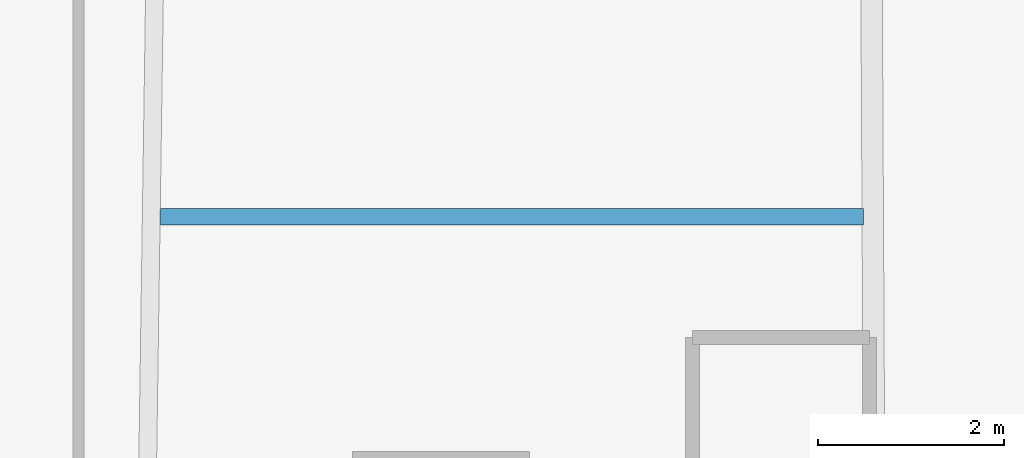
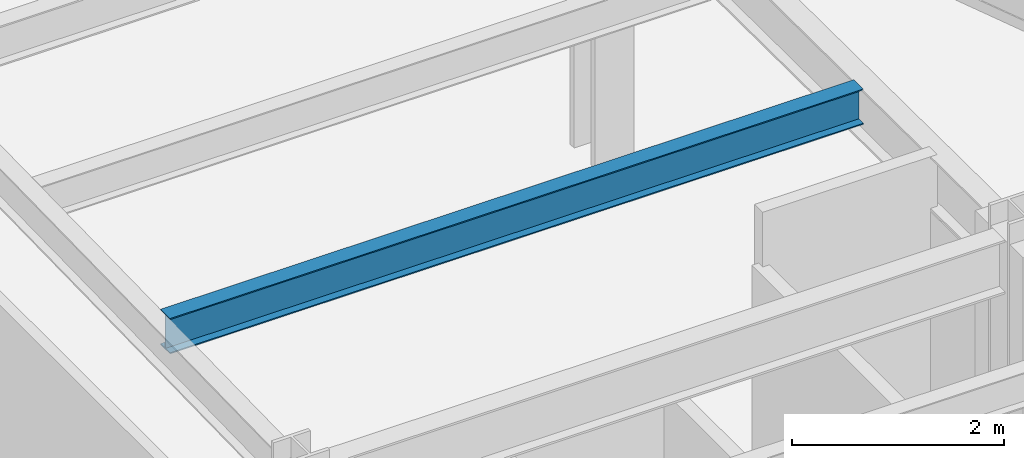
# One storey, part 13 of 30: 1 beam.
"""IFC4 building model written with IfcOpenShell, lengths in metres."""

import ifcopenshell
import ifcopenshell.guid

model = None  # the IFC model being written
_history = None  # IfcOwnerHistory: only IFC2X3 demands one
_inside = {}  # id of a spatial element -> (the spatial element, [elements in it])
_under = {}  # id of a project, library or spatial element -> (it, [spatial elements below it])
_declared = {}  # id of a project -> (the project, [libraries it declares])
_typed = {}  # id of a type object -> (the type object, [elements of that type])
_made_of = {}  # id of a material, layer set ... -> (it, [elements and type objects made of it])


def new_model(schema):
    """Start an empty IFC model of exactly this schema.

    Asked for "IFC4X3", IfcOpenShell would pick the latest addendum, in which some entities
    have other attributes; the version numbers below select the first issue.
    IFC2X3 requires an IfcOwnerHistory on every rooted entity: one is made here for all.
    """
    global model, _history
    if schema == "IFC4X3":
        model = ifcopenshell.file(schema_version=(4, 3, 0, 0))
    else:
        model = ifcopenshell.file(schema=schema)
    _inside.clear()
    _under.clear()
    _declared.clear()
    _typed.clear()
    _made_of.clear()
    _history = None
    if model.schema == "IFC2X3":
        org = make("IfcOrganization", Name="unknown")
        user = make(
            "IfcPersonAndOrganization",
            ThePerson=make("IfcPerson", FamilyName="unknown"),
            TheOrganization=org,
        )
        app = make(
            "IfcApplication",
            ApplicationDeveloper=org,
            Version="unknown",
            ApplicationFullName="unknown",
            ApplicationIdentifier="unknown",
        )
        _history = make(
            "IfcOwnerHistory",
            OwningUser=user,
            OwningApplication=app,
            ChangeAction="ADDED",
            CreationDate=0,
        )
    return model


def make(cls, **values):
    """One entity of the class cls with the attributes given. An attribute that is None is left unset."""
    return model.create_entity(
        cls, **{name: value for name, value in values.items() if value is not None}
    )


def rooted(cls, **values):
    """An entity with a GlobalId (a new one), such as an element, a storey or a relation."""
    return make(cls, GlobalId=ifcopenshell.guid.new(), OwnerHistory=_history, **values)


def si_unit(unit_type, name, prefix=None):
    """IfcSIUnit, for example si_unit("LENGTHUNIT", "METRE", prefix="MILLI")."""
    return make("IfcSIUnit", UnitType=unit_type, Prefix=prefix, Name=name)


def assignment(units):
    """IfcUnitAssignment: the units of a project."""
    return None if units is None else make("IfcUnitAssignment", Units=units)


def point(xyz):
    """IfcCartesianPoint."""
    return None if xyz is None else make("IfcCartesianPoint", Coordinates=xyz)


def direction(xyz):
    """IfcDirection."""
    return None if xyz is None else make("IfcDirection", DirectionRatios=xyz)


def frame(location, z_axis=None, x_axis=None):
    """IfcAxis2Placement3D, a coordinate frame: its origin and axes. An axis left out is left unset."""
    return make(
        "IfcAxis2Placement3D",
        Location=point(location),
        Axis=direction(z_axis),
        RefDirection=direction(x_axis),
    )


def frame_2d(location, x_axis=None):
    """IfcAxis2Placement2D, a coordinate frame in the plane: its origin and x axis."""
    return make(
        "IfcAxis2Placement2D", Location=point(location), RefDirection=direction(x_axis)
    )


def origin():
    """The frame at (0, 0, 0) with its axes left unset."""
    return frame((0.0, 0.0, 0.0))


def origin_2d():
    """The frame at (0, 0) in the plane with its x axis left unset."""
    return frame_2d((0.0, 0.0))


def place(relative_to, where):
    """IfcLocalPlacement: puts the frame where relative to a parent placement (None: the world)."""
    return make(
        "IfcLocalPlacement", PlacementRelTo=relative_to, RelativePlacement=where
    )


def context(
    kind, dimensions, precision=None, world=None, true_north=None, identifier=None
):
    """IfcGeometricRepresentationContext, for example the 3D "Model" context."""
    return make(
        "IfcGeometricRepresentationContext",
        ContextIdentifier=identifier,
        ContextType=kind,
        CoordinateSpaceDimension=dimensions,
        Precision=precision,
        WorldCoordinateSystem=world,
        TrueNorth=true_north,
    )


def subcontext(parent, identifier, kind, view, scale=None):
    """IfcGeometricRepresentationSubContext, for example "Body" below "Model"."""
    return make(
        "IfcGeometricRepresentationSubContext",
        ContextIdentifier=identifier,
        ContextType=kind,
        ParentContext=parent,
        TargetScale=scale,
        TargetView=view,
    )


def project(units=None, contexts=None):
    """IfcProject with its units and contexts."""
    return rooted(
        "IfcProject",
        Name="project",
        RepresentationContexts=contexts,
        UnitsInContext=assignment(units),
    )


def spatial(cls, under=None, at=None, **own):
    """A site, building, storey or space (cls), placed at a placement, below another one or the project."""
    s = rooted(cls, ObjectPlacement=at, **own)
    if under is not None:
        _under.setdefault(under.id(), (under, []))[1].append(s)
    return s


def profile(cls, at=None, kind="AREA", **sizes):
    """A parametric profile (cls). Its sizes go by their IFC names, for example OverallWidth=200.0."""
    return make(cls, ProfileType=kind, Position=at, **sizes)


def i_section(**sizes):
    """IfcIShapeProfileDef."""
    return profile("IfcIShapeProfileDef", **sizes)


def extrude(swept, where, along, depth):
    """IfcExtrudedAreaSolid: the profile swept, set in the frame where, extruded along a direction by depth."""
    return make(
        "IfcExtrudedAreaSolid",
        SweptArea=swept,
        Position=where,
        ExtrudedDirection=direction(along),
        Depth=depth,
    )


def shape(context_of_items, identifier, shape_type, items):
    """IfcShapeRepresentation: the items that make up one representation, for example the "Body"."""
    return make(
        "IfcShapeRepresentation",
        ContextOfItems=context_of_items,
        RepresentationIdentifier=identifier,
        RepresentationType=shape_type,
        Items=items,
    )


def material(Name=None, Category=None):
    """IfcMaterial."""
    return make("IfcMaterial", Name=Name, Category=Category)


def material_profile(
    of_material, cross_section, Name=None, Category=None, Priority=None
):
    """IfcMaterialProfile: a cross section and its material."""
    return make(
        "IfcMaterialProfile",
        Name=Name,
        Material=of_material,
        Profile=cross_section,
        Priority=Priority,
        Category=Category,
    )


def profile_set(profiles, Name=None, composite=None):
    """IfcMaterialProfileSet."""
    return make(
        "IfcMaterialProfileSet",
        Name=Name,
        MaterialProfiles=profiles,
        CompositeProfile=composite,
    )


def made_of(thing, what):
    """Note that an element or type object is made of a material, layer set ...; save() writes the relation."""
    if what is not None:
        _made_of.setdefault(what.id(), (what, []))[1].append(thing)
    return thing


def type_object(cls, material=None, **own):
    """A type object (cls), such as IfcWallType, which elements share."""
    return made_of(rooted(cls, **own), material)


def element(
    cls,
    number,
    at=None,
    inside=None,
    cuts=None,
    type_object=None,
    material=None,
    context=None,
    identifier="Body",
    shape_type=None,
    held_by="IfcProductDefinitionShape",
    body=None,
    shapes=None,
    **own,
):
    """One element of the class cls, such as IfcWall. Its Tag is "e" and its number.

    at: its placement. inside: the storey or other place that contains it. cuts: it is an
    opening in that element (IfcRelVoidsElement). A single representation is given by context,
    identifier, shape_type and body (its items); several are given by shapes. held_by: the class
    of the entity that holds the representations. save() writes the other relations.
    """
    e = rooted(cls, Tag="e%d" % number, ObjectPlacement=at, **own)
    if body is not None:
        shapes = [shape(context, identifier, shape_type, body)]
    if shapes is not None:
        e.Representation = make(held_by, Representations=shapes)
    if inside is not None:
        _inside.setdefault(inside.id(), (inside, []))[1].append(e)
    if cuts is not None:
        rooted(
            "IfcRelVoidsElement", RelatingBuildingElement=cuts, RelatedOpeningElement=e
        )
    if type_object is not None:
        _typed.setdefault(type_object.id(), (type_object, []))[1].append(e)
    return made_of(e, material)


def aggregate(whole, parts):
    """IfcRelAggregates: a whole, such as a stair, and the parts it consists of."""
    return rooted("IfcRelAggregates", RelatingObject=whole, RelatedObjects=parts)


def save(model, path):
    """Write the relations noted so far, then the file.

    IfcRelAggregates (storeys below a building ...), IfcRelContainedInSpatialStructure (elements
    in a storey), IfcRelDefinesByType, IfcRelAssociatesMaterial and IfcRelDeclares: one each for
    every whole, place, type object, material and project.
    """
    for whole, parts in _under.values():
        aggregate(whole, parts)
    for where, things in _inside.values():
        rooted(
            "IfcRelContainedInSpatialStructure",
            RelatedElements=things,
            RelatingStructure=where,
        )
    for kind, things in _typed.values():
        rooted("IfcRelDefinesByType", RelatedObjects=things, RelatingType=kind)
    for what, things in _made_of.values():
        rooted("IfcRelAssociatesMaterial", RelatedObjects=things, RelatingMaterial=what)
    for by, libraries in _declared.values():
        rooted("IfcRelDeclares", RelatingContext=by, RelatedDefinitions=libraries)
    model.write(path)


model = new_model("IFC4")

# Units and contexts
model_context = context("Model", 3, precision=1e-05, world=origin(), true_north=direction((0.0, 1.0)))
body_context = subcontext(model_context, "Body", "Model", "MODEL_VIEW")
ifc_project = project(units=[si_unit("LENGTHUNIT", "METRE"), si_unit("AREAUNIT", "SQUARE_METRE"), si_unit("VOLUMEUNIT", "CUBIC_METRE"), si_unit("PLANEANGLEUNIT", "RADIAN"), si_unit("MASSUNIT", "GRAM", prefix="KILO")], contexts=[model_context])

# Site, building, storey
site_placement = place(None, origin())
site = spatial("IfcSite", under=ifc_project, at=site_placement, CompositionType="ELEMENT")
building_placement = place(site_placement, origin())
building = spatial("IfcBuilding", under=site, at=building_placement, Name="Veymaron Broadcast Tower", CompositionType="ELEMENT")
storey_placement = place(building_placement, frame((0.0, 0.0, 49.949951171875)))
storey = spatial("IfcBuildingStorey", under=building, at=storey_placement, Name="L10", CompositionType="ELEMENT", Elevation=49.949951171875)

# Beam
ifc_material = material(Name="Structural steel ASTM A992 Gr 50", Category="steel")
ifc_material_profile = material_profile(ifc_material, i_section(OverallWidth=0.177978515625, OverallDepth=0.406982421875, WebThickness=0.0078125, FlangeThickness=0.0126953125, at=origin_2d()), Name="W410X60")
ifc_profile_set = profile_set([ifc_material_profile], Name="Structural steel ASTM A992 Gr 50")
beam_type = type_object("IfcBeamType", Name="BM-JS1", PredefinedType="JOIST", material=ifc_profile_set)
beam_placement = place(storey_placement, frame((31.34033203125, 34.793701171875, 3.6064453125), z_axis=(1.0, 0.0, 0.0), x_axis=(0.0, 1.0, 0.0)))
element("IfcBeam", 1, at=beam_placement, inside=storey, type_object=beam_type, Name="L10 Arm-B secondary joist 1", PredefinedType="JOIST", context=body_context, shape_type="SweptSolid", body=[
    extrude(i_section(OverallWidth=0.177978515625, OverallDepth=0.406982421875, WebThickness=0.0078125, FlangeThickness=0.0126953125, at=origin_2d()), origin(), (0.0, 0.0, 1.0), 7.545166015625),
])

save(model, "model.ifc")
